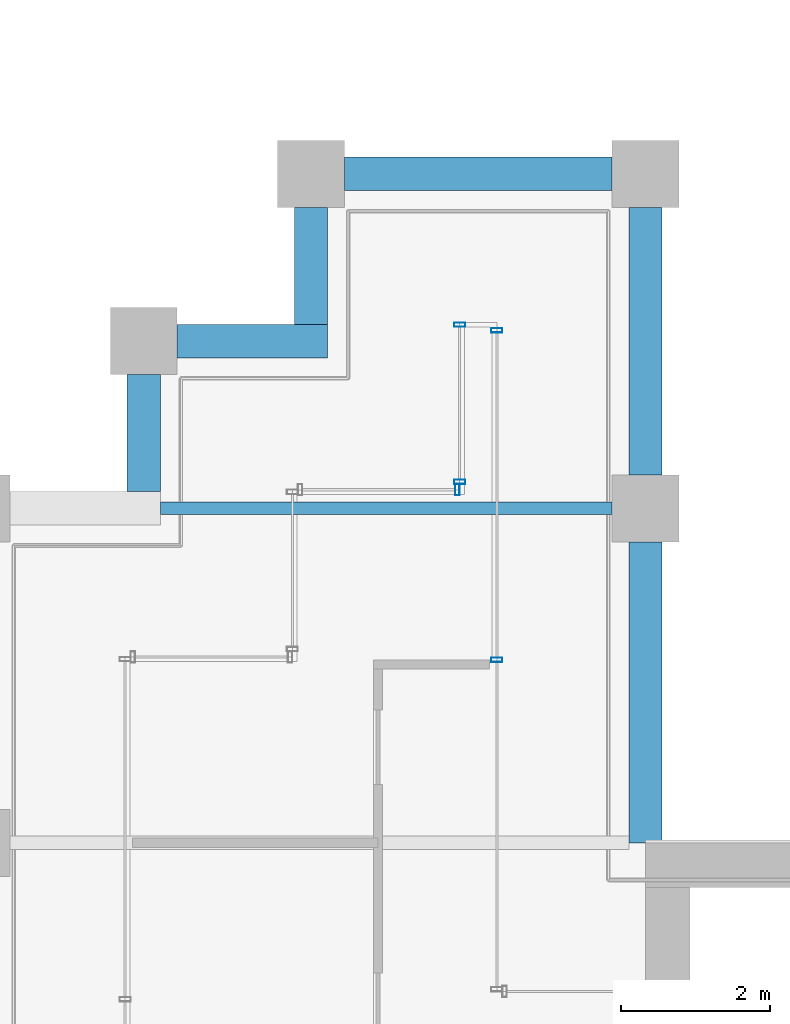
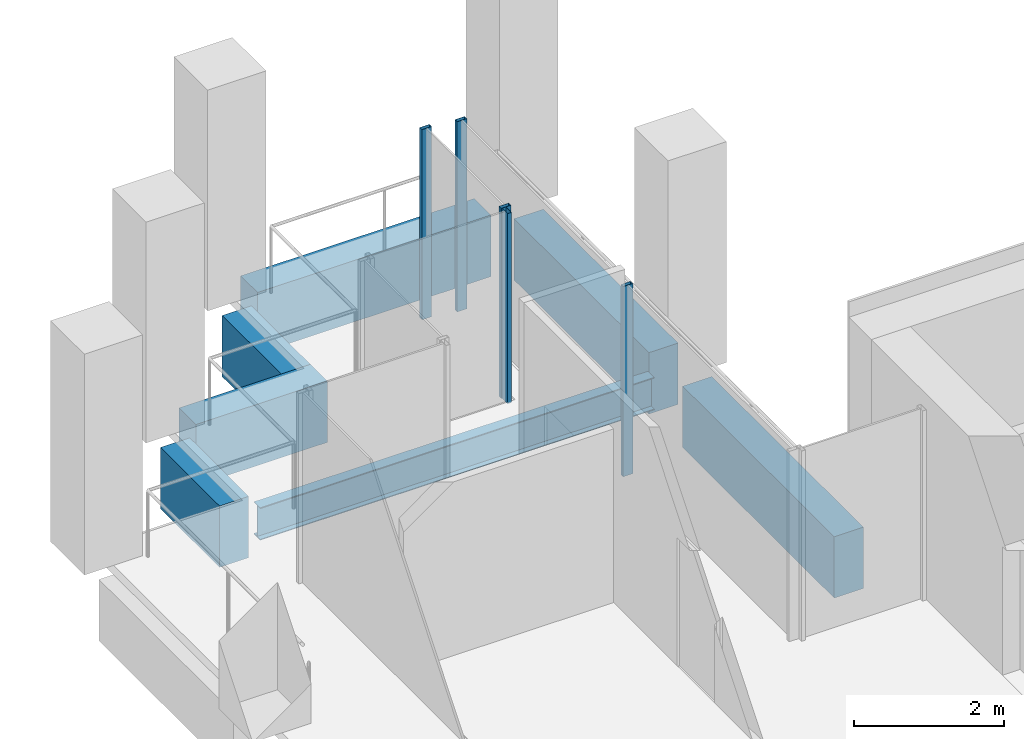
# One storey, part 33 of 40: 7 beams, 5 members, 3 elements without a shape of their own.
"""IFC4 building model written with IfcOpenShell, lengths in metres."""

from ifc_helpers import new_model, si_unit, direction, frame, origin, origin_2d, place, context, subcontext, project, spatial, rectangle, hollow_rectangle, i_section, extrude, material, material_profile, profile_set, type_object, element, aggregate, save


model = new_model("IFC4")

# Units and contexts
model_context = context("Model", 3, precision=1e-05, world=origin(), true_north=direction((0.0, 1.0)))
body_context = subcontext(model_context, "Body", "Model", "MODEL_VIEW")
ifc_project = project(units=[si_unit("LENGTHUNIT", "METRE"), si_unit("AREAUNIT", "SQUARE_METRE"), si_unit("VOLUMEUNIT", "CUBIC_METRE"), si_unit("PLANEANGLEUNIT", "RADIAN"), si_unit("MASSUNIT", "GRAM", prefix="KILO")], contexts=[model_context])

# Site, building, storey
site_placement = place(None, origin())
site = spatial("IfcSite", under=ifc_project, at=site_placement, CompositionType="ELEMENT")
building_placement = place(site_placement, origin())
building = spatial("IfcBuilding", under=site, at=building_placement, Name="Altepetl Exchange Towers", CompositionType="ELEMENT")
storey_placement = place(building_placement, frame((0.0, 0.0, 147.39990234375)))
storey = spatial("IfcBuildingStorey", under=building, at=storey_placement, Name="L36", CompositionType="ELEMENT", Elevation=147.39990234375)

# Beam
ifc_material_1 = material(Name="Steel S355", Category="steel")
ifc_material_profile_1 = material_profile(ifc_material_1, i_section(OverallWidth=0.166015625, OverallDepth=0.529052734375, WebThickness=0.009765625, FlangeThickness=0.013671875, at=origin_2d()), Name="W21X50")
ifc_profile_set_1 = profile_set([ifc_material_profile_1], Name="Steel S355")
beam_type_1 = type_object("IfcBeamType", Name="Floor beam W21X50", PredefinedType="BEAM", material=ifc_profile_set_1)
beam_1_placement = place(storey_placement, frame((96.97509765625, 54.0, -0.414306640625), z_axis=(1.0, 0.0, 0.0), x_axis=(0.0, 1.0, 0.0)))
element("IfcBeam", 1, at=beam_1_placement, inside=storey, type_object=beam_type_1, Name="bm:B:L36:007", PredefinedType="BEAM", context=body_context, shape_type="SweptSolid", body=[
    extrude(i_section(OverallWidth=0.166015625, OverallDepth=0.529052734375, WebThickness=0.009765625, FlangeThickness=0.013671875, at=origin_2d()), origin(), (0.0, 0.0, 1.0), 6.074951171875),
])

# Curtain wall, members
ifc_material_2 = material(Name="Aluminium 6063-T6 glazing", Category="aluminium")
curtain_wall_type = type_object("IfcCurtainWallType", Name="Loggia glazing system", PredefinedType="NOTDEFINED", material=ifc_material_2)
curtain_wall_1_placement = place(storey_placement, origin())
curtain_wall_1 = element("IfcCurtainWall", 2, at=curtain_wall_1_placement, inside=storey, type_object=curtain_wall_type, Name="CW1 run", PredefinedType="NOTDEFINED")
ifc_material_3 = material(Name="Aluminium 6063-T6", Category="aluminium")
ifc_material_profile_2 = material_profile(ifc_material_3, hollow_rectangle(XDim=0.06005859375, YDim=0.14990234375, WallThickness=0.0029296875, at=origin_2d()), Name="Mullion 60x150 aluminium")
ifc_profile_set_2 = profile_set([ifc_material_profile_2], Name="Aluminium 6063-T6")
member_type = type_object("IfcMemberType", Name="Mullion 60x150 aluminium", PredefinedType="MULLION", material=ifc_profile_set_2)
member_1_placement = place(storey_placement, frame((101.5, 51.96240234375, 0.0), z_axis=(0.0, 0.0, 1.0), x_axis=(0.0, 1.0, 0.0)))
member_1 = element("IfcMember", 3, at=member_1_placement, type_object=member_type, Name="MU1 mullion", PredefinedType="MULLION", context=body_context, shape_type="SweptSolid", body=[
    extrude(hollow_rectangle(XDim=0.06005859375, YDim=0.14990234375, WallThickness=0.0029296875, at=origin_2d()), origin(), (0.0, 0.0, 1.0), 3.10009765625),
])
member_2_placement = place(storey_placement, frame((101.5, 56.39501953125, 0.0), z_axis=(0.0, 0.0, 1.0), x_axis=(0.0, 1.0, 0.0)))
member_2 = element("IfcMember", 4, at=member_2_placement, type_object=member_type, Name="MU1 mullion", PredefinedType="MULLION", context=body_context, shape_type="SweptSolid", body=[
    extrude(hollow_rectangle(XDim=0.06005859375, YDim=0.14990234375, WallThickness=0.0029296875, at=origin_2d()), origin(), (0.0, 0.0, 1.0), 3.10009765625),
])
aggregate(curtain_wall_1, [member_1, member_2])

curtain_wall_2_placement = place(storey_placement, origin())
curtain_wall_2 = element("IfcCurtainWall", 5, at=curtain_wall_2_placement, inside=storey, type_object=curtain_wall_type, Name="CW1 run", PredefinedType="NOTDEFINED")
member_3_placement = place(storey_placement, frame((101.0, 56.469970703125, 0.0), z_axis=(0.0, 0.0, 1.0), x_axis=(0.0, -1.0, 0.0)))
member_3 = element("IfcMember", 6, at=member_3_placement, type_object=member_type, Name="MU1 mullion", PredefinedType="MULLION", context=body_context, shape_type="SweptSolid", body=[
    extrude(hollow_rectangle(XDim=0.06005859375, YDim=0.14990234375, WallThickness=0.0029296875, at=origin_2d()), origin(), (0.0, 0.0, 1.0), 3.10009765625),
])
member_4_placement = place(storey_placement, frame((101.0, 54.35498046875, 0.0), z_axis=(0.0, 0.0, 1.0), x_axis=(0.0, -1.0, 0.0)))
member_4 = element("IfcMember", 7, at=member_4_placement, type_object=member_type, Name="MU1 mullion", PredefinedType="MULLION", context=body_context, shape_type="SweptSolid", body=[
    extrude(hollow_rectangle(XDim=0.06005859375, YDim=0.14990234375, WallThickness=0.0029296875, at=origin_2d()), origin(), (0.0, 0.0, 1.0), 3.10009765625),
])
aggregate(curtain_wall_2, [member_3, member_4])

# Curtain wall, member
curtain_wall_3_placement = place(storey_placement, origin())
curtain_wall_3 = element("IfcCurtainWall", 8, at=curtain_wall_3_placement, inside=storey, type_object=curtain_wall_type, Name="CW1 run", PredefinedType="NOTDEFINED")
member_5_placement = place(storey_placement, frame((100.969970703125, 54.25, 0.0), z_axis=(0.0, 0.0, 1.0), x_axis=(-1.0, 0.0, 0.0)))
member_5 = element("IfcMember", 9, at=member_5_placement, type_object=member_type, Name="MU1 mullion", PredefinedType="MULLION", context=body_context, shape_type="SweptSolid", body=[
    extrude(hollow_rectangle(XDim=0.06005859375, YDim=0.14990234375, WallThickness=0.0029296875, at=origin_2d()), origin(), (0.0, 0.0, 1.0), 3.10009765625),
])
aggregate(curtain_wall_3, [member_5])

# Beams
ifc_material_4 = material(Name="Concrete C50/60 precast with cantera rosa facing", Category="concrete")
ifc_material_profile_3 = material_profile(ifc_material_4, rectangle(XDim=0.449951171875, YDim=1.0, at=origin_2d()), Name="450 x 1000")
ifc_profile_set_3 = profile_set([ifc_material_profile_3], Name="Concrete C50/60 precast with cantera rosa facing")
beam_type_2 = type_object("IfcBeamType", Name="Spandrel beam 450x1000 cantera rosa", PredefinedType="SPANDREL", material=ifc_profile_set_3)
beam_2_placement = place(storey_placement, frame((103.5, 49.5, -0.64990234375), z_axis=(0.0, 1.0, 0.0), x_axis=(-1.0, 0.0, 0.0)))
element("IfcBeam", 10, at=beam_2_placement, inside=storey, type_object=beam_type_2, Name="sp:B:L36:008", PredefinedType="SPANDREL", context=body_context, shape_type="SweptSolid", body=[
    extrude(rectangle(XDim=0.449951171875, YDim=1.0, at=origin_2d()), origin(), (0.0, 0.0, 1.0), 4.050048828125),
])
for number, where, z_axis, x_axis, name in (
    (11, (103.5, 54.449951171875, -0.64990234375), (0.0, 1.0, 0.0), (-1.0, 0.0, 0.0), "sp:B:L36:009"),
    (12, (103.050048828125, 58.5, -0.64990234375), (-1.0, 0.0, 0.0), (0.0, -1.0, 0.0), "sp:B:L36:010"),
):
    element("IfcBeam", number, at=place(storey_placement, frame(where, z_axis=z_axis, x_axis=x_axis)), inside=storey, type_object=beam_type_2, Name=name, PredefinedType="SPANDREL", context=body_context, shape_type="SweptSolid", body=[
        extrude(rectangle(XDim=0.449951171875, YDim=1.0, at=origin_2d()), origin(), (0.0, 0.0, 1.0), 3.60009765625),
    ])
beam_3_placement = place(storey_placement, frame((99.0, 58.050048828125, -0.64990234375), z_axis=(0.0, -1.0, 0.0), x_axis=(1.0, 0.0, 0.0)))
element("IfcBeam", 13, at=beam_3_placement, inside=storey, type_object=beam_type_2, Name="sp:B:L36:011", PredefinedType="SPANDREL", context=body_context, shape_type="SweptSolid", body=[
    extrude(rectangle(XDim=0.449951171875, YDim=1.0, at=origin_2d()), origin(), (0.0, 0.0, 1.0), 1.574951171875),
])
beam_4_placement = place(storey_placement, frame((99.22509765625, 56.25, -0.64990234375), z_axis=(-1.0, 0.0, 0.0), x_axis=(0.0, -1.0, 0.0)))
element("IfcBeam", 14, at=beam_4_placement, inside=storey, type_object=beam_type_2, Name="sp:B:L36:012", PredefinedType="SPANDREL", context=body_context, shape_type="SweptSolid", body=[
    extrude(rectangle(XDim=0.449951171875, YDim=1.0, at=origin_2d()), origin(), (0.0, 0.0, 1.0), 2.025146484375),
])
beam_5_placement = place(storey_placement, frame((96.75, 55.800048828125, -0.64990234375), z_axis=(0.0, -1.0, 0.0), x_axis=(1.0, 0.0, 0.0)))
element("IfcBeam", 15, at=beam_5_placement, inside=storey, type_object=beam_type_2, Name="sp:B:L36:013", PredefinedType="SPANDREL", context=body_context, shape_type="SweptSolid", body=[
    extrude(rectangle(XDim=0.449951171875, YDim=1.0, at=origin_2d()), origin(), (0.0, 0.0, 1.0), 1.574951171875),
])

save(model, "model.ifc")
